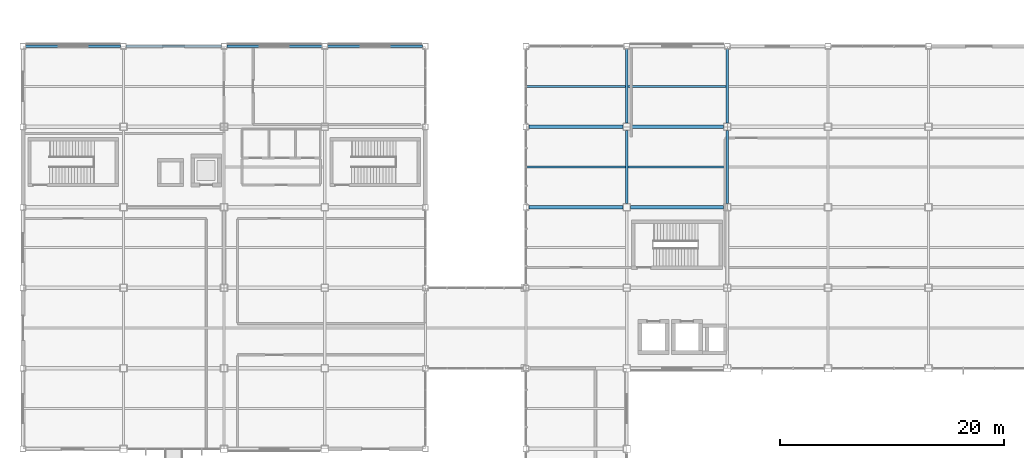
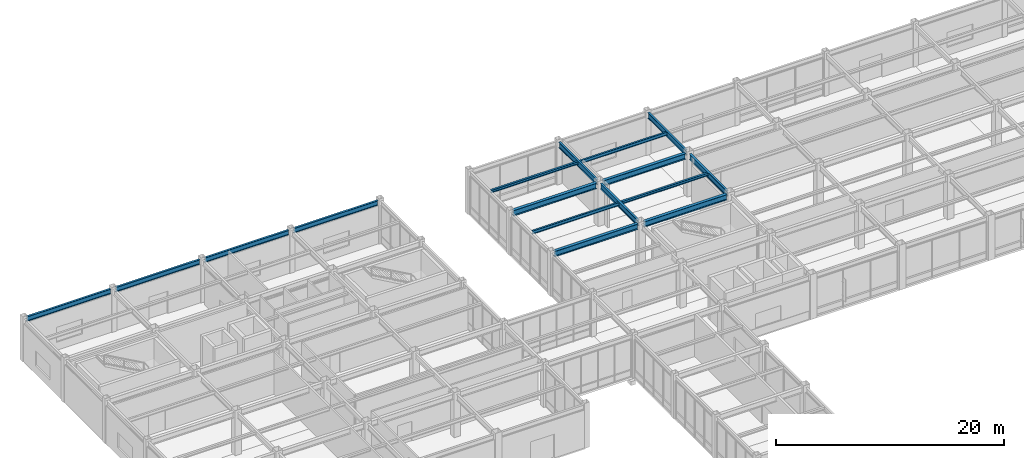
# One storey, part 56 of 112: 16 beams.
"""IFC4 building model written with IfcOpenShell, lengths in metres."""

from ifc_helpers import new_model, si_unit, direction, frame, origin, origin_2d, place, context, subcontext, project, spatial, i_section, extrude, material, material_profile, profile_set, type_object, element, save


model = new_model("IFC4")

# Units and contexts
model_context = context("Model", 3, precision=1e-05, world=origin(), true_north=direction((0.0, 1.0)))
body_context = subcontext(model_context, "Body", "Model", "MODEL_VIEW")
ifc_project = project(units=[si_unit("LENGTHUNIT", "METRE"), si_unit("AREAUNIT", "SQUARE_METRE"), si_unit("VOLUMEUNIT", "CUBIC_METRE"), si_unit("PLANEANGLEUNIT", "RADIAN"), si_unit("MASSUNIT", "GRAM", prefix="KILO")], contexts=[model_context])

# Site, building, storey
site_placement = place(None, origin())
site = spatial("IfcSite", under=ifc_project, at=site_placement, CompositionType="ELEMENT")
building_placement = place(site_placement, origin())
building = spatial("IfcBuilding", under=site, at=building_placement, Name="Kazanami Central Library", CompositionType="ELEMENT")
storey_placement = place(building_placement, origin())
storey = spatial("IfcBuildingStorey", under=building, at=storey_placement, Name="L01", CompositionType="ELEMENT", Elevation=0.0)

# Beams
ifc_material_1 = material(Name="Steel SN400B (235 MPa)", Category="steel")
ifc_material_profile_1 = material_profile(ifc_material_1, i_section(OverallWidth=0.175048828125, OverallDepth=0.35009765625, WebThickness=0.007080078125, FlangeThickness=0.010986328125, at=origin_2d()), Name="H-350x175x7x11")
ifc_profile_set_1 = profile_set([ifc_material_profile_1], Name="Steel SN400B (235 MPa)")
beam_type_1 = type_object("IfcBeamType", Name="BM-B-S2", PredefinedType="JOIST", material=ifc_profile_set_1)
for number, where, z_axis, x_axis, name in (
    (1, (45.097900390625, 82.800048828125, 4.3798828125), (1.0, 0.0, 0.0), (0.0, 1.0, 0.0), "Composite Secondary Joist B-S2 L01 Bay 6/M.1"),
    (2, (54.097900390625, 90.0, 4.3798828125), (1.0, 0.0, 0.0), (0.0, 1.0, 0.0), "Composite Secondary Joist B-S2 L01 Bay 7/N.1"),
):
    element("IfcBeam", number, at=place(storey_placement, frame(where, z_axis=z_axis, x_axis=x_axis)), inside=storey, type_object=beam_type_1, Name=name, PredefinedType="JOIST", context=body_context, shape_type="SweptSolid", body=[
        extrude(i_section(OverallWidth=0.175048828125, OverallDepth=0.35009765625, WebThickness=0.007080078125, FlangeThickness=0.010986328125, at=origin_2d()), origin(), (0.0, 0.0, 1.0), 8.80419921875),
    ])
ifc_material_profile_2 = material_profile(ifc_material_1, i_section(OverallWidth=0.199951171875, OverallDepth=0.2939453125, WebThickness=0.008056640625, FlangeThickness=0.011962890625, at=origin_2d()), Name="H-294x200x8x12")
ifc_profile_set_2 = profile_set([ifc_material_profile_2], Name="Steel SN400B (235 MPa)")
beam_type_2 = type_object("IfcBeamType", Name="BM-B-S5", PredefinedType="JOIST", material=ifc_profile_set_2)
for number, where, z_axis, x_axis, name in (
    (3, (45.097900390625, 90.0, 4.407958984375), (1.0, 0.0, 0.0), (0.0, 1.0, 0.0), "Composite Secondary Joist B-S5 L01 Bay 6/N.1"),
    (4, (54.097900390625, 82.800048828125, 4.407958984375), (1.0, 0.0, 0.0), (0.0, 1.0, 0.0), "Composite Secondary Joist B-S5 L01 Bay 7/M.1"),
):
    element("IfcBeam", number, at=place(storey_placement, frame(where, z_axis=z_axis, x_axis=x_axis)), inside=storey, type_object=beam_type_2, Name=name, PredefinedType="JOIST", context=body_context, shape_type="SweptSolid", body=[
        extrude(i_section(OverallWidth=0.199951171875, OverallDepth=0.2939453125, WebThickness=0.008056640625, FlangeThickness=0.011962890625, at=origin_2d()), origin(), (0.0, 0.0, 1.0), 8.80419921875),
    ])
ifc_material_2 = material(Name="Steel SN490B (325 MPa)", Category="steel")
ifc_material_profile_3 = material_profile(ifc_material_2, i_section(OverallWidth=0.300048828125, OverallDepth=0.60009765625, WebThickness=0.011962890625, FlangeThickness=0.02001953125, at=origin_2d()), Name="H-600x300x12x20")
ifc_profile_set_3 = profile_set([ifc_material_profile_3], Name="Steel SN490B (325 MPa)")
beam_type_3 = type_object("IfcBeamType", Name="BM-G-X1", PredefinedType="BEAM", material=ifc_profile_set_3)
beam_1_placement = place(storey_placement, frame((45.248046875, 79.199951171875, 4.2548828125), z_axis=(1.0, 0.0, 0.0), x_axis=(0.0, 1.0, 0.0)))
element("IfcBeam", 5, at=beam_1_placement, inside=storey, type_object=beam_type_3, Name="Girder G-X1 L01 M/6-7", PredefinedType="BEAM", context=body_context, shape_type="SweptSolid", body=[
    extrude(i_section(OverallWidth=0.300048828125, OverallDepth=0.60009765625, WebThickness=0.011962890625, FlangeThickness=0.02001953125, at=origin_2d()), origin(), (0.0, 0.0, 1.0), 8.428955078125),
])
beam_2_placement = place(storey_placement, frame((54.322998046875, 79.199951171875, 4.2548828125), z_axis=(1.0, 0.0, 0.0), x_axis=(0.0, 1.0, 0.0)))
element("IfcBeam", 6, at=beam_2_placement, inside=storey, type_object=beam_type_3, Name="Girder G-X1 L01 M/7-8", PredefinedType="BEAM", context=body_context, shape_type="SweptSolid", body=[
    extrude(i_section(OverallWidth=0.300048828125, OverallDepth=0.60009765625, WebThickness=0.011962890625, FlangeThickness=0.02001953125, at=origin_2d()), origin(), (0.0, 0.0, 1.0), 8.35400390625),
])
beam_3_placement = place(storey_placement, frame((45.248046875, 86.39990234375, 4.2548828125), z_axis=(1.0, 0.0, 0.0), x_axis=(0.0, 1.0, 0.0)))
element("IfcBeam", 7, at=beam_3_placement, inside=storey, type_object=beam_type_3, Name="Girder G-X1 L01 N/6-7", PredefinedType="BEAM", context=body_context, shape_type="SweptSolid", body=[
    extrude(i_section(OverallWidth=0.300048828125, OverallDepth=0.60009765625, WebThickness=0.011962890625, FlangeThickness=0.02001953125, at=origin_2d()), origin(), (0.0, 0.0, 1.0), 8.428955078125),
])
beam_4_placement = place(storey_placement, frame((54.322998046875, 86.39990234375, 4.2548828125), z_axis=(1.0, 0.0, 0.0), x_axis=(0.0, 1.0, 0.0)))
element("IfcBeam", 8, at=beam_4_placement, inside=storey, type_object=beam_type_3, Name="Girder G-X1 L01 N/7-8", PredefinedType="BEAM", context=body_context, shape_type="SweptSolid", body=[
    extrude(i_section(OverallWidth=0.300048828125, OverallDepth=0.60009765625, WebThickness=0.011962890625, FlangeThickness=0.02001953125, at=origin_2d()), origin(), (0.0, 0.0, 1.0), 8.35400390625),
])
ifc_material_profile_4 = material_profile(ifc_material_2, i_section(OverallWidth=0.199951171875, OverallDepth=0.60009765625, WebThickness=0.010986328125, FlangeThickness=0.01708984375, at=origin_2d()), Name="H-600x200x11x17")
ifc_profile_set_4 = profile_set([ifc_material_profile_4], Name="Steel SN490B (325 MPa)")
beam_type_4 = type_object("IfcBeamType", Name="BM-G-Y1", PredefinedType="BEAM", material=ifc_profile_set_4)
beam_5_placement = place(storey_placement, frame((54.0, 79.52294921875, 4.2548828125), z_axis=(0.0, 1.0, 0.0), x_axis=(-1.0, 0.0, 0.0)))
element("IfcBeam", 9, at=beam_5_placement, inside=storey, type_object=beam_type_4, Name="Girder G-Y1 L01 7/M-N", PredefinedType="BEAM", context=body_context, shape_type="SweptSolid", body=[
    extrude(i_section(OverallWidth=0.199951171875, OverallDepth=0.60009765625, WebThickness=0.010986328125, FlangeThickness=0.01708984375, at=origin_2d()), origin(), (0.0, 0.0, 1.0), 6.553955078125),
])
beam_6_placement = place(storey_placement, frame((54.0, 86.722900390625, 4.2548828125), z_axis=(0.0, 1.0, 0.0), x_axis=(-1.0, 0.0, 0.0)))
element("IfcBeam", 10, at=beam_6_placement, inside=storey, type_object=beam_type_4, Name="Girder G-Y1 L01 7/N-O", PredefinedType="BEAM", context=body_context, shape_type="SweptSolid", body=[
    extrude(i_section(OverallWidth=0.199951171875, OverallDepth=0.60009765625, WebThickness=0.010986328125, FlangeThickness=0.01708984375, at=origin_2d()), origin(), (0.0, 0.0, 1.0), 6.629150390625),
])
beam_7_placement = place(storey_placement, frame((63.0, 79.52294921875, 4.2548828125), z_axis=(0.0, 1.0, 0.0), x_axis=(-1.0, 0.0, 0.0)))
element("IfcBeam", 11, at=beam_7_placement, inside=storey, type_object=beam_type_4, Name="Girder G-Y1 L01 8/M-N", PredefinedType="BEAM", context=body_context, shape_type="SweptSolid", body=[
    extrude(i_section(OverallWidth=0.199951171875, OverallDepth=0.60009765625, WebThickness=0.010986328125, FlangeThickness=0.01708984375, at=origin_2d()), origin(), (0.0, 0.0, 1.0), 6.553955078125),
])
beam_8_placement = place(storey_placement, frame((63.0, 86.722900390625, 4.2548828125), z_axis=(0.0, 1.0, 0.0), x_axis=(-1.0, 0.0, 0.0)))
element("IfcBeam", 12, at=beam_8_placement, inside=storey, type_object=beam_type_4, Name="Girder G-Y1 L01 8/N-O", PredefinedType="BEAM", context=body_context, shape_type="SweptSolid", body=[
    extrude(i_section(OverallWidth=0.199951171875, OverallDepth=0.60009765625, WebThickness=0.010986328125, FlangeThickness=0.01708984375, at=origin_2d()), origin(), (0.0, 0.0, 1.0), 6.629150390625),
])
ifc_material_profile_5 = material_profile(ifc_material_2, i_section(OverallWidth=0.199951171875, OverallDepth=0.5, WebThickness=0.010009765625, FlangeThickness=0.01611328125, at=origin_2d()), Name="H-500x200x10x16")
ifc_profile_set_5 = profile_set([ifc_material_profile_5], Name="Steel SN490B (325 MPa)")
beam_type_5 = type_object("IfcBeamType", Name="BM-SP-1", PredefinedType="SPANDREL", material=ifc_profile_set_5)
for number, where, z_axis, x_axis, name in (
    (13, (0.248046875, 93.60009765625, 4.304931640625), (1.0, 0.0, 0.0), (0.0, 1.0, 0.0), "Girder SP-1 L01 O/1-2"),
    (14, (9.248046875, 93.60009765625, 4.304931640625), (1.0, 0.0, 0.0), (0.0, 1.0, 0.0), "Girder SP-1 L01 O/2-3"),
    (15, (18.248046875, 93.60009765625, 4.304931640625), (1.0, 0.0, 0.0), (0.0, 1.0, 0.0), "Girder SP-1 L01 O/3-4"),
    (16, (27.248046875, 93.60009765625, 4.304931640625), (1.0, 0.0, 0.0), (0.0, 1.0, 0.0), "Girder SP-1 L01 O/4-5"),
):
    element("IfcBeam", number, at=place(storey_placement, frame(where, z_axis=z_axis, x_axis=x_axis)), inside=storey, type_object=beam_type_5, Name=name, PredefinedType="SPANDREL", context=body_context, shape_type="SweptSolid", body=[
        extrude(i_section(OverallWidth=0.199951171875, OverallDepth=0.5, WebThickness=0.010009765625, FlangeThickness=0.01611328125, at=origin_2d()), origin(), (0.0, 0.0, 1.0), 8.50390625),
    ])

save(model, "model.ifc")
